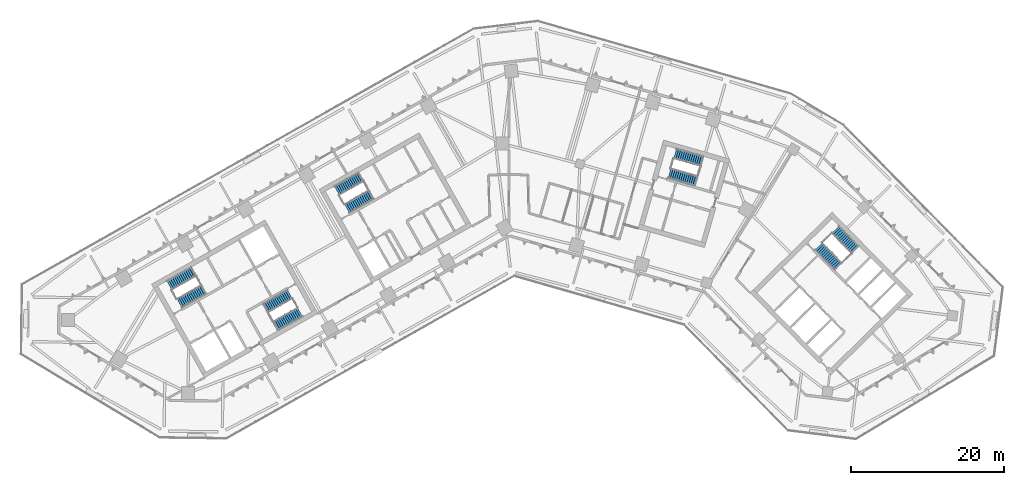
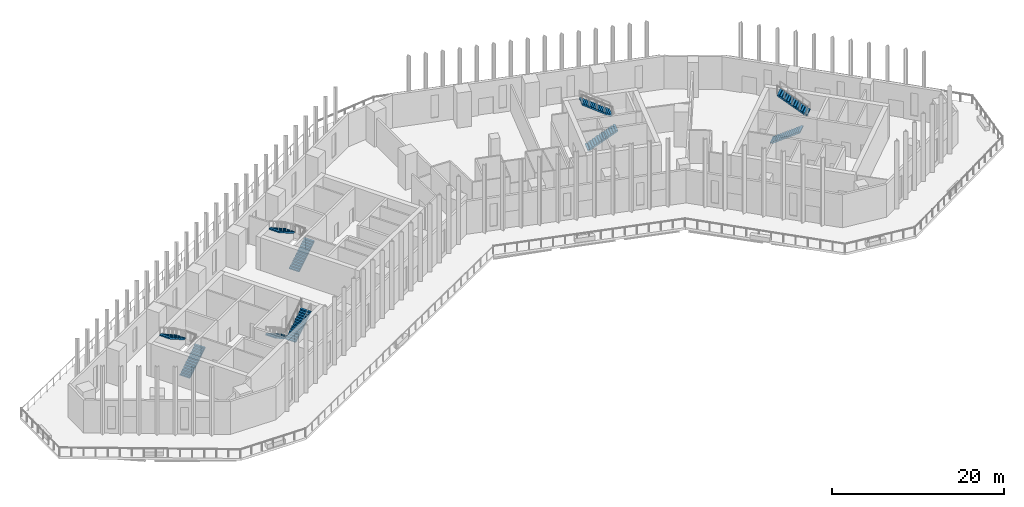
# One storey, part 11 of 17: 10 stair flights, 5 elements without a shape of their own.
"""IFC4 building model written with IfcOpenShell, lengths in metres."""

from ifc_helpers import new_model, si_unit, direction, frame, origin, place, context, subcontext, project, spatial, polyline, outline, extrude, material, type_object, element, aggregate, save


model = new_model("IFC4")

# Units and contexts
model_context = context("Model", 3, precision=1e-05, world=origin(), true_north=direction((0.0, 1.0)))
body_context = subcontext(model_context, "Body", "Model", "MODEL_VIEW")
ifc_project = project(units=[si_unit("LENGTHUNIT", "METRE"), si_unit("AREAUNIT", "SQUARE_METRE"), si_unit("VOLUMEUNIT", "CUBIC_METRE"), si_unit("PLANEANGLEUNIT", "RADIAN"), si_unit("MASSUNIT", "GRAM", prefix="KILO")], contexts=[model_context])

# Site, building, storey
site_placement = place(None, origin())
site = spatial("IfcSite", under=ifc_project, at=site_placement, CompositionType="ELEMENT")
building_placement = place(site_placement, origin())
building = spatial("IfcBuilding", under=site, at=building_placement, Name="Binnacle Exchange Tower", CompositionType="ELEMENT")
storey_placement = place(building_placement, frame((0.0, 0.0, 26.5)))
storey = spatial("IfcBuildingStorey", under=building, at=storey_placement, Name="L05", CompositionType="ELEMENT", Elevation=26.5)

# Stair, stair flights
ifc_material = material(Name="Concrete C35/45", Category="concrete")
stair_type = type_object("IfcStairType", Name="STAIR 28 RISERS 179", PredefinedType="HALF_TURN_STAIR", material=ifc_material)
stair_1_placement = place(storey_placement, origin())
stair_1 = element("IfcStair", 1, at=stair_1_placement, inside=storey, type_object=stair_type, Name="L05 Escape stair A1", PredefinedType="HALF_TURN_STAIR")
stair_flight_type = type_object("IfcStairFlightType", Name="STAIR FLIGHT 179X280", PredefinedType="STRAIGHT", material=ifc_material)
stair_flight_1_placement = place(storey_placement, frame((-42.9541015625, 39.17333984375, 0.0), z_axis=(0.0, 0.0, 1.0), x_axis=(0.870355584213, 0.492423757581, 0.0)))
stair_flight_1 = element("IfcStairFlight", 2, at=stair_flight_1_placement, type_object=stair_flight_type, Name="STA1 flight 1", NumberOfRisers=14, NumberOfTreads=13, PredefinedType="STRAIGHT", RiserHeight=0.178571429, TreadLength=0.28, context=body_context, shape_type="SweptSolid", body=[
    extrude(outline(polyline([(0.0, 0.0), (0.0, 0.178466796875), (0.280029296875, 0.178466796875), (0.280029296875, 0.357177734375), (0.56005859375, 0.357177734375), (0.56005859375, 0.53564453125), (0.840087890625, 0.53564453125), (0.840087890625, 0.71435546875), (1.1201171875, 0.71435546875), (1.1201171875, 0.892822265625), (1.39990234375, 0.892822265625), (1.39990234375, 1.071533203125), (1.679931640625, 1.071533203125), (1.679931640625, 1.25), (1.9599609375, 1.25), (1.9599609375, 1.428466796875), (2.239990234375, 1.428466796875), (2.239990234375, 1.607177734375), (2.52001953125, 1.607177734375), (2.52001953125, 1.78564453125), (2.800048828125, 1.78564453125), (2.800048828125, 1.96435546875), (3.080078125, 1.96435546875), (3.080078125, 2.142822265625), (3.360107421875, 2.142822265625), (3.360107421875, 2.321533203125), (3.639892578125, 2.321533203125), (3.639892578125, 2.5), (3.639892578125, 2.1435546875), (0.27880859375, 0.0), (0.0, 0.0)])), frame((0.0, 0.675048828125, 0.0), z_axis=(0.0, -1.0, 0.0), x_axis=(1.0, 0.0, 0.0)), (0.0, 0.0, 1.0), 1.35009765625),
])
stair_flight_2_placement = place(storey_placement, frame((-41.115478515625, 43.315673828125, 2.5), z_axis=(0.0, 0.0, 1.0), x_axis=(-0.870355584213, -0.492423757581, 0.0)))
stair_flight_2 = element("IfcStairFlight", 3, at=stair_flight_2_placement, type_object=stair_flight_type, Name="STA1 flight 2", NumberOfRisers=14, NumberOfTreads=13, PredefinedType="STRAIGHT", RiserHeight=0.178571429, TreadLength=0.28, context=body_context, shape_type="SweptSolid", body=[
    extrude(outline(polyline([(0.0, 0.0), (0.0, 0.178466796875), (0.280029296875, 0.178466796875), (0.280029296875, 0.357177734375), (0.56005859375, 0.357177734375), (0.56005859375, 0.53564453125), (0.840087890625, 0.53564453125), (0.840087890625, 0.71435546875), (1.1201171875, 0.71435546875), (1.1201171875, 0.892822265625), (1.39990234375, 0.892822265625), (1.39990234375, 1.071533203125), (1.679931640625, 1.071533203125), (1.679931640625, 1.25), (1.9599609375, 1.25), (1.9599609375, 1.428466796875), (2.239990234375, 1.428466796875), (2.239990234375, 1.607177734375), (2.52001953125, 1.607177734375), (2.52001953125, 1.78564453125), (2.800048828125, 1.78564453125), (2.800048828125, 1.96435546875), (3.080078125, 1.96435546875), (3.080078125, 2.142822265625), (3.360107421875, 2.142822265625), (3.360107421875, 2.321533203125), (3.639892578125, 2.321533203125), (3.639892578125, 2.5), (3.639892578125, 2.1435546875), (0.27880859375, 0.0), (0.0, 0.0)])), frame((0.0, 0.675048828125, 0.0), z_axis=(0.0, -1.0, 0.0), x_axis=(1.0, 0.0, 0.0)), (0.0, 0.0, 1.0), 1.35009765625),
])
aggregate(stair_1, [stair_flight_1, stair_flight_2])

stair_2_placement = place(storey_placement, origin())
stair_2 = element("IfcStair", 4, at=stair_2_placement, inside=storey, type_object=stair_type, Name="L05 Escape stair A2", PredefinedType="HALF_TURN_STAIR")
stair_flight_3_placement = place(storey_placement, frame((-28.5732421875, 40.3583984375, 0.0), z_axis=(0.0, 0.0, 1.0), x_axis=(-0.870355584213, -0.492423757581, 0.0)))
stair_flight_3 = element("IfcStairFlight", 5, at=stair_flight_3_placement, type_object=stair_flight_type, Name="STA2 flight 1", NumberOfRisers=14, NumberOfTreads=13, PredefinedType="STRAIGHT", RiserHeight=0.178571429, TreadLength=0.28, context=body_context, shape_type="SweptSolid", body=[
    extrude(outline(polyline([(0.0, 0.0), (0.0, 0.178466796875), (0.280029296875, 0.178466796875), (0.280029296875, 0.357177734375), (0.56005859375, 0.357177734375), (0.56005859375, 0.53564453125), (0.840087890625, 0.53564453125), (0.840087890625, 0.71435546875), (1.1201171875, 0.71435546875), (1.1201171875, 0.892822265625), (1.39990234375, 0.892822265625), (1.39990234375, 1.071533203125), (1.679931640625, 1.071533203125), (1.679931640625, 1.25), (1.9599609375, 1.25), (1.9599609375, 1.428466796875), (2.239990234375, 1.428466796875), (2.239990234375, 1.607177734375), (2.52001953125, 1.607177734375), (2.52001953125, 1.78564453125), (2.800048828125, 1.78564453125), (2.800048828125, 1.96435546875), (3.080078125, 1.96435546875), (3.080078125, 2.142822265625), (3.360107421875, 2.142822265625), (3.360107421875, 2.321533203125), (3.639892578125, 2.321533203125), (3.639892578125, 2.5), (3.639892578125, 2.1435546875), (0.27880859375, 0.0), (0.0, 0.0)])), frame((0.0, 0.675048828125, 0.0), z_axis=(0.0, -1.0, 0.0), x_axis=(1.0, 0.0, 0.0)), (0.0, 0.0, 1.0), 1.35009765625),
])
stair_flight_4_placement = place(storey_placement, frame((-30.411865234375, 36.216064453125, 2.5), z_axis=(0.0, 0.0, 1.0), x_axis=(0.870355584213, 0.492423757581, 0.0)))
stair_flight_4 = element("IfcStairFlight", 6, at=stair_flight_4_placement, type_object=stair_flight_type, Name="STA2 flight 2", NumberOfRisers=14, NumberOfTreads=13, PredefinedType="STRAIGHT", RiserHeight=0.178571429, TreadLength=0.28, context=body_context, shape_type="SweptSolid", body=[
    extrude(outline(polyline([(0.0, 0.0), (0.0, 0.178466796875), (0.280029296875, 0.178466796875), (0.280029296875, 0.357177734375), (0.56005859375, 0.357177734375), (0.56005859375, 0.53564453125), (0.840087890625, 0.53564453125), (0.840087890625, 0.71435546875), (1.1201171875, 0.71435546875), (1.1201171875, 0.892822265625), (1.39990234375, 0.892822265625), (1.39990234375, 1.071533203125), (1.679931640625, 1.071533203125), (1.679931640625, 1.25), (1.9599609375, 1.25), (1.9599609375, 1.428466796875), (2.239990234375, 1.428466796875), (2.239990234375, 1.607177734375), (2.52001953125, 1.607177734375), (2.52001953125, 1.78564453125), (2.800048828125, 1.78564453125), (2.800048828125, 1.96435546875), (3.080078125, 1.96435546875), (3.080078125, 2.142822265625), (3.360107421875, 2.142822265625), (3.360107421875, 2.321533203125), (3.639892578125, 2.321533203125), (3.639892578125, 2.5), (3.639892578125, 2.1435546875), (0.27880859375, 0.0), (0.0, 0.0)])), frame((0.0, 0.675048828125, 0.0), z_axis=(0.0, -1.0, 0.0), x_axis=(1.0, 0.0, 0.0)), (0.0, 0.0, 1.0), 1.35009765625),
])
aggregate(stair_2, [stair_flight_3, stair_flight_4])

stair_3_placement = place(storey_placement, origin())
stair_3 = element("IfcStair", 7, at=stair_3_placement, inside=storey, type_object=stair_type, Name="L05 Escape stair B1", PredefinedType="HALF_TURN_STAIR")
stair_flight_5_placement = place(storey_placement, frame((40.376708984375, 46.608642578125, 0.0), z_axis=(0.0, 0.0, 1.0), x_axis=(0.70090935144, -0.713250363522, 0.0)))
stair_flight_5 = element("IfcStairFlight", 8, at=stair_flight_5_placement, type_object=stair_flight_type, Name="STB1 flight 1", NumberOfRisers=14, NumberOfTreads=13, PredefinedType="STRAIGHT", RiserHeight=0.178571429, TreadLength=0.28, context=body_context, shape_type="SweptSolid", body=[
    extrude(outline(polyline([(0.0, 0.0), (0.0, 0.178466796875), (0.280029296875, 0.178466796875), (0.280029296875, 0.357177734375), (0.56005859375, 0.357177734375), (0.56005859375, 0.53564453125), (0.840087890625, 0.53564453125), (0.840087890625, 0.71435546875), (1.1201171875, 0.71435546875), (1.1201171875, 0.892822265625), (1.39990234375, 0.892822265625), (1.39990234375, 1.071533203125), (1.679931640625, 1.071533203125), (1.679931640625, 1.25), (1.9599609375, 1.25), (1.9599609375, 1.428466796875), (2.239990234375, 1.428466796875), (2.239990234375, 1.607177734375), (2.52001953125, 1.607177734375), (2.52001953125, 1.78564453125), (2.800048828125, 1.78564453125), (2.800048828125, 1.96435546875), (3.080078125, 1.96435546875), (3.080078125, 2.142822265625), (3.360107421875, 2.142822265625), (3.360107421875, 2.321533203125), (3.639892578125, 2.321533203125), (3.639892578125, 2.5), (3.639892578125, 2.1435546875), (0.27880859375, 0.0), (0.0, 0.0)])), frame((0.0, 0.675048828125, 0.0), z_axis=(0.0, -1.0, 0.0), x_axis=(1.0, 0.0, 0.0)), (0.0, 0.0, 1.0), 1.35009765625),
])
stair_flight_6_placement = place(storey_placement, frame((45.13916015625, 46.185302734375, 2.5), z_axis=(0.0, 0.0, 1.0), x_axis=(-0.70090935144, 0.713250363522, 0.0)))
stair_flight_6 = element("IfcStairFlight", 9, at=stair_flight_6_placement, type_object=stair_flight_type, Name="STB1 flight 2", NumberOfRisers=14, NumberOfTreads=13, PredefinedType="STRAIGHT", RiserHeight=0.178571429, TreadLength=0.28, context=body_context, shape_type="SweptSolid", body=[
    extrude(outline(polyline([(0.0, 0.0), (0.0, 0.178466796875), (0.280029296875, 0.178466796875), (0.280029296875, 0.357177734375), (0.56005859375, 0.357177734375), (0.56005859375, 0.53564453125), (0.840087890625, 0.53564453125), (0.840087890625, 0.71435546875), (1.1201171875, 0.71435546875), (1.1201171875, 0.892822265625), (1.39990234375, 0.892822265625), (1.39990234375, 1.071533203125), (1.679931640625, 1.071533203125), (1.679931640625, 1.25), (1.9599609375, 1.25), (1.9599609375, 1.428466796875), (2.239990234375, 1.428466796875), (2.239990234375, 1.607177734375), (2.52001953125, 1.607177734375), (2.52001953125, 1.78564453125), (2.800048828125, 1.78564453125), (2.800048828125, 1.96435546875), (3.080078125, 1.96435546875), (3.080078125, 2.142822265625), (3.360107421875, 2.142822265625), (3.360107421875, 2.321533203125), (3.639892578125, 2.321533203125), (3.639892578125, 2.5), (3.639892578125, 2.1435546875), (0.27880859375, 0.0), (0.0, 0.0)])), frame((0.0, 0.675048828125, 0.0), z_axis=(0.0, -1.0, 0.0), x_axis=(1.0, 0.0, 0.0)), (0.0, 0.0, 1.0), 1.35009765625),
])
aggregate(stair_3, [stair_flight_5, stair_flight_6])

stair_4_placement = place(storey_placement, origin())
stair_4 = element("IfcStair", 10, at=stair_4_placement, inside=storey, type_object=stair_type, Name="L05 Escape stair C1", PredefinedType="HALF_TURN_STAIR")
stair_flight_7_placement = place(storey_placement, frame((-21.115966796875, 51.528564453125, 0.0), z_axis=(0.0, 0.0, 1.0), x_axis=(0.870355584213, 0.492423757581, 0.0)))
stair_flight_7 = element("IfcStairFlight", 11, at=stair_flight_7_placement, type_object=stair_flight_type, Name="STC1 flight 1", NumberOfRisers=14, NumberOfTreads=13, PredefinedType="STRAIGHT", RiserHeight=0.178571429, TreadLength=0.28, context=body_context, shape_type="SweptSolid", body=[
    extrude(outline(polyline([(0.0, 0.0), (0.0, 0.178466796875), (0.280029296875, 0.178466796875), (0.280029296875, 0.357177734375), (0.56005859375, 0.357177734375), (0.56005859375, 0.53564453125), (0.840087890625, 0.53564453125), (0.840087890625, 0.71435546875), (1.1201171875, 0.71435546875), (1.1201171875, 0.892822265625), (1.39990234375, 0.892822265625), (1.39990234375, 1.071533203125), (1.679931640625, 1.071533203125), (1.679931640625, 1.25), (1.9599609375, 1.25), (1.9599609375, 1.428466796875), (2.239990234375, 1.428466796875), (2.239990234375, 1.607177734375), (2.52001953125, 1.607177734375), (2.52001953125, 1.78564453125), (2.800048828125, 1.78564453125), (2.800048828125, 1.96435546875), (3.080078125, 1.96435546875), (3.080078125, 2.142822265625), (3.360107421875, 2.142822265625), (3.360107421875, 2.321533203125), (3.639892578125, 2.321533203125), (3.639892578125, 2.5), (3.639892578125, 2.1435546875), (0.27880859375, 0.0), (0.0, 0.0)])), frame((0.0, 0.675048828125, 0.0), z_axis=(0.0, -1.0, 0.0), x_axis=(1.0, 0.0, 0.0)), (0.0, 0.0, 1.0), 1.35009765625),
])
stair_flight_8_placement = place(storey_placement, frame((-19.27734375, 55.671142578125, 2.5), z_axis=(0.0, 0.0, 1.0), x_axis=(-0.870355584213, -0.492423757581, 0.0)))
stair_flight_8 = element("IfcStairFlight", 12, at=stair_flight_8_placement, type_object=stair_flight_type, Name="STC1 flight 2", NumberOfRisers=14, NumberOfTreads=13, PredefinedType="STRAIGHT", RiserHeight=0.178571429, TreadLength=0.28, context=body_context, shape_type="SweptSolid", body=[
    extrude(outline(polyline([(0.0, 0.0), (0.0, 0.178466796875), (0.280029296875, 0.178466796875), (0.280029296875, 0.357177734375), (0.56005859375, 0.357177734375), (0.56005859375, 0.53564453125), (0.840087890625, 0.53564453125), (0.840087890625, 0.71435546875), (1.1201171875, 0.71435546875), (1.1201171875, 0.892822265625), (1.39990234375, 0.892822265625), (1.39990234375, 1.071533203125), (1.679931640625, 1.071533203125), (1.679931640625, 1.25), (1.9599609375, 1.25), (1.9599609375, 1.428466796875), (2.239990234375, 1.428466796875), (2.239990234375, 1.607177734375), (2.52001953125, 1.607177734375), (2.52001953125, 1.78564453125), (2.800048828125, 1.78564453125), (2.800048828125, 1.96435546875), (3.080078125, 1.96435546875), (3.080078125, 2.142822265625), (3.360107421875, 2.142822265625), (3.360107421875, 2.321533203125), (3.639892578125, 2.321533203125), (3.639892578125, 2.5), (3.639892578125, 2.1435546875), (0.27880859375, 0.0), (0.0, 0.0)])), frame((0.0, 0.675048828125, 0.0), z_axis=(0.0, -1.0, 0.0), x_axis=(1.0, 0.0, 0.0)), (0.0, 0.0, 1.0), 1.35009765625),
])
aggregate(stair_4, [stair_flight_7, stair_flight_8])

stair_5_placement = place(storey_placement, origin())
stair_5 = element("IfcStair", 13, at=stair_5_placement, inside=storey, type_object=stair_type, Name="L05 Escape stair D1", PredefinedType="HALF_TURN_STAIR")
stair_flight_9_placement = place(storey_placement, frame((20.914306640625, 56.109619140625, 0.0), z_axis=(0.0, 0.0, 1.0), x_axis=(0.961261811397, -0.275636953165, 0.0)))
stair_flight_9 = element("IfcStairFlight", 14, at=stair_flight_9_placement, type_object=stair_flight_type, Name="STD1 flight 1", NumberOfRisers=14, NumberOfTreads=13, PredefinedType="STRAIGHT", RiserHeight=0.178571429, TreadLength=0.28, context=body_context, shape_type="SweptSolid", body=[
    extrude(outline(polyline([(0.0, 0.0), (0.0, 0.178466796875), (0.280029296875, 0.178466796875), (0.280029296875, 0.357177734375), (0.56005859375, 0.357177734375), (0.56005859375, 0.53564453125), (0.840087890625, 0.53564453125), (0.840087890625, 0.71435546875), (1.1201171875, 0.71435546875), (1.1201171875, 0.892822265625), (1.39990234375, 0.892822265625), (1.39990234375, 1.071533203125), (1.679931640625, 1.071533203125), (1.679931640625, 1.25), (1.9599609375, 1.25), (1.9599609375, 1.428466796875), (2.239990234375, 1.428466796875), (2.239990234375, 1.607177734375), (2.52001953125, 1.607177734375), (2.52001953125, 1.78564453125), (2.800048828125, 1.78564453125), (2.800048828125, 1.96435546875), (3.080078125, 1.96435546875), (3.080078125, 2.142822265625), (3.360107421875, 2.142822265625), (3.360107421875, 2.321533203125), (3.639892578125, 2.321533203125), (3.639892578125, 2.5), (3.639892578125, 2.1435546875), (0.27880859375, 0.0), (0.0, 0.0)])), frame((0.0, 0.675048828125, 0.0), z_axis=(0.0, -1.0, 0.0), x_axis=(1.0, 0.0, 0.0)), (0.0, 0.0, 1.0), 1.35009765625),
])
stair_flight_10_placement = place(storey_placement, frame((25.157470703125, 57.70166015625, 2.5), z_axis=(0.0, 0.0, 1.0), x_axis=(-0.961261811397, 0.275636953165, 0.0)))
stair_flight_10 = element("IfcStairFlight", 15, at=stair_flight_10_placement, type_object=stair_flight_type, Name="STD1 flight 2", NumberOfRisers=14, NumberOfTreads=13, PredefinedType="STRAIGHT", RiserHeight=0.178571429, TreadLength=0.28, context=body_context, shape_type="SweptSolid", body=[
    extrude(outline(polyline([(0.0, 0.0), (0.0, 0.178466796875), (0.280029296875, 0.178466796875), (0.280029296875, 0.357177734375), (0.56005859375, 0.357177734375), (0.56005859375, 0.53564453125), (0.840087890625, 0.53564453125), (0.840087890625, 0.71435546875), (1.1201171875, 0.71435546875), (1.1201171875, 0.892822265625), (1.39990234375, 0.892822265625), (1.39990234375, 1.071533203125), (1.679931640625, 1.071533203125), (1.679931640625, 1.25), (1.9599609375, 1.25), (1.9599609375, 1.428466796875), (2.239990234375, 1.428466796875), (2.239990234375, 1.607177734375), (2.52001953125, 1.607177734375), (2.52001953125, 1.78564453125), (2.800048828125, 1.78564453125), (2.800048828125, 1.96435546875), (3.080078125, 1.96435546875), (3.080078125, 2.142822265625), (3.360107421875, 2.142822265625), (3.360107421875, 2.321533203125), (3.639892578125, 2.321533203125), (3.639892578125, 2.5), (3.639892578125, 2.1435546875), (0.27880859375, 0.0), (0.0, 0.0)])), frame((0.0, 0.675048828125, 0.0), z_axis=(0.0, -1.0, 0.0), x_axis=(1.0, 0.0, 0.0)), (0.0, 0.0, 1.0), 1.35009765625),
])
aggregate(stair_5, [stair_flight_9, stair_flight_10])

save(model, "model.ifc")
